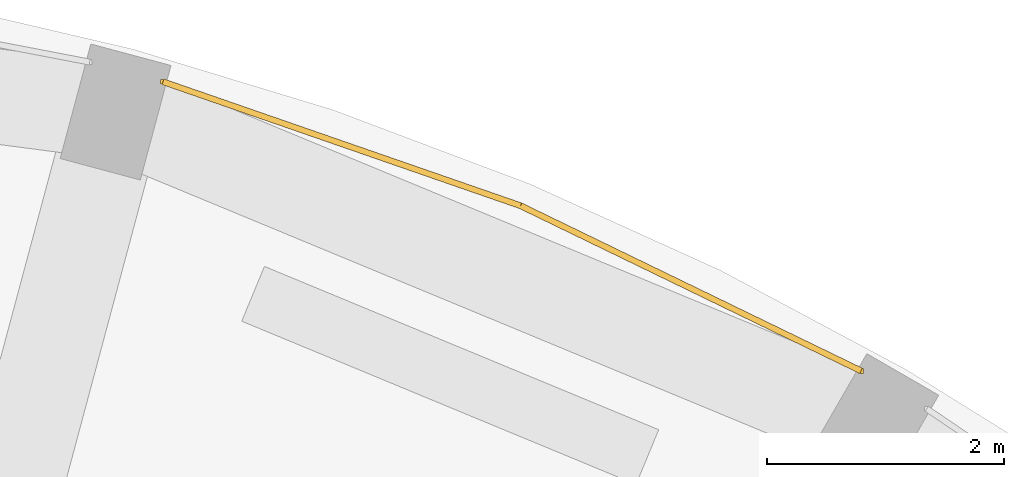
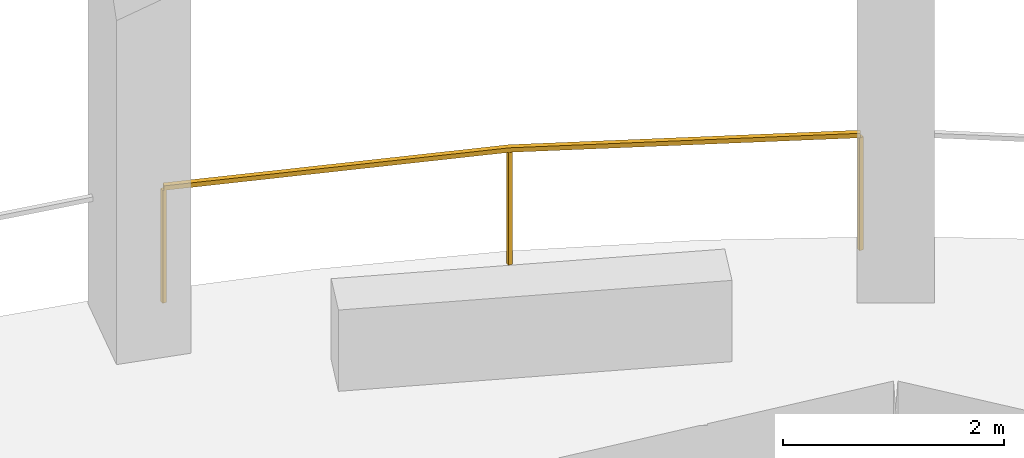
# One storey, part 9 of 9: 1 railing.
"""IFC4 building model written with IfcOpenShell, lengths in metres."""

from ifc_helpers import new_model, si_unit, direction, frame, origin, origin_2d, place, context, subcontext, project, spatial, rectangle, extrude, material, type_object, element, save


model = new_model("IFC4")

# Units and contexts
model_context = context("Model", 3, precision=1e-05, world=origin(), true_north=direction((0.0, 1.0)))
body_context = subcontext(model_context, "Body", "Model", "MODEL_VIEW")
ifc_project = project(units=[si_unit("LENGTHUNIT", "METRE"), si_unit("AREAUNIT", "SQUARE_METRE"), si_unit("VOLUMEUNIT", "CUBIC_METRE"), si_unit("PLANEANGLEUNIT", "RADIAN"), si_unit("MASSUNIT", "GRAM", prefix="KILO")], contexts=[model_context])

# Site, building, storey
site_placement = place(None, origin())
site = spatial("IfcSite", under=ifc_project, at=site_placement, CompositionType="ELEMENT")
building_placement = place(site_placement, origin())
building = spatial("IfcBuilding", under=site, at=building_placement, Name="Torre Triforio", CompositionType="ELEMENT")
storey_placement = place(building_placement, frame((0.0, 0.0, 71.0)))
storey = spatial("IfcBuildingStorey", under=building, at=storey_placement, Name="L15", CompositionType="ELEMENT", Elevation=71.0)

# Railing
ifc_material = material(Name="Stainless steel AISI 316", Category="steel")
railing_type = type_object("IfcRailingType", Name="Loggia guard 1300", PredefinedType="GUARDRAIL", material=ifc_material)
railing_placement = place(storey_placement, frame((13.14794921875, 23.412841796875, 0.0)))
element("IfcRailing", 1, at=railing_placement, inside=storey, type_object=railing_type, Name="Loggia guard L15 bay 05", PredefinedType="GUARDRAIL", context=body_context, shape_type="SweptSolid", body=[
    extrude(rectangle(XDim=0.050048828125, YDim=0.050048828125, at=origin_2d()), frame((0.0, 0.0, 1.27490234375), z_axis=(-0.899760432952, 0.436384192305, 0.0), x_axis=(-0.436384192305, -0.899760432952, 0.0)), (0.0, 0.0, 1.0), 3.19287109375),
    extrude(rectangle(XDim=0.050048828125, YDim=0.050048828125, at=origin_2d()), frame((-2.872802734375, 1.393310546875, 1.27490234375), z_axis=(-0.94480685358, 0.327627852034, 0.0), x_axis=(-0.327627852034, -0.94480685358, 0.0)), (0.0, 0.0, 1.0), 3.193115234375),
    extrude(rectangle(XDim=0.0400390625, YDim=0.0400390625, at=origin_2d()), origin(), (0.0, 0.0, 1.0), 1.25),
    extrude(rectangle(XDim=0.0400390625, YDim=0.0400390625, at=origin_2d()), frame((-2.872802734375, 1.393310546875, 0.0)), (0.0, 0.0, 1.0), 1.25),
    extrude(rectangle(XDim=0.0400390625, YDim=0.0400390625, at=origin_2d()), frame((-5.8896484375, 2.439453125, 0.0)), (0.0, 0.0, 1.0), 1.25),
])

save(model, "model.ifc")
